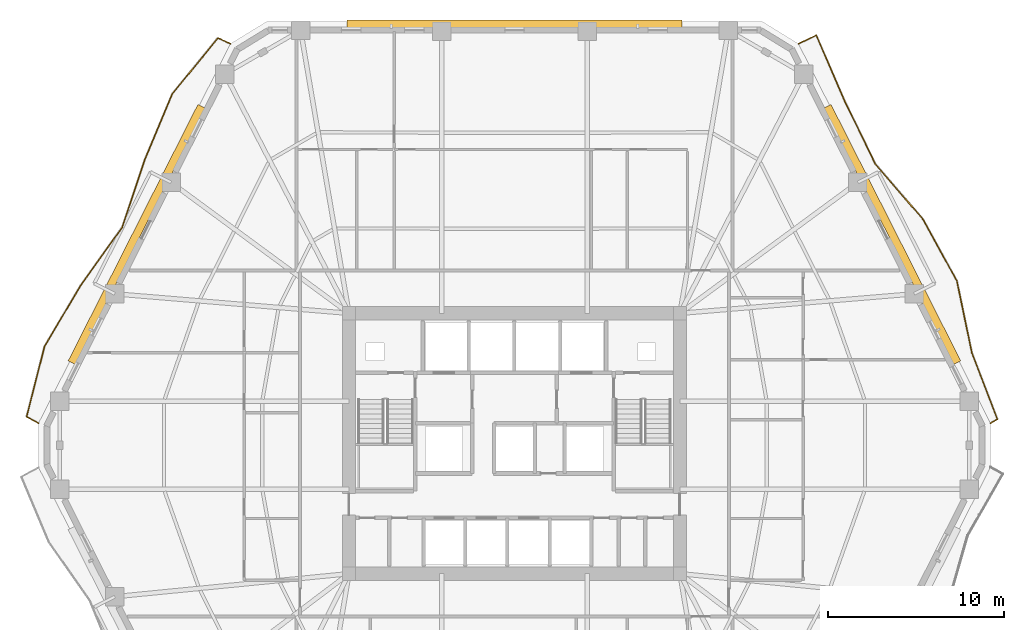
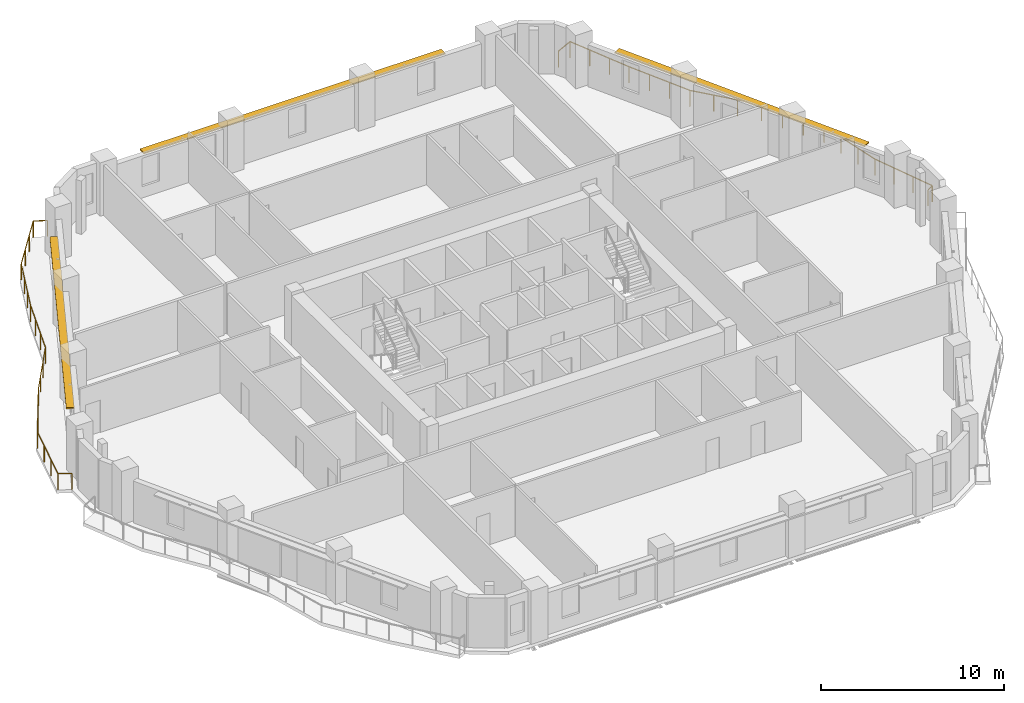
# One storey, part 13 of 13: 3 shading devices, 2 railings.
"""IFC4 building model written with IfcOpenShell, lengths in metres."""

from ifc_helpers import new_model, si_unit, direction, frame, origin, origin_2d, place, context, subcontext, project, spatial, rectangle, extrude, material, layer, layer_set, type_object, element, save


model = new_model("IFC4")

# Units and contexts
model_context = context("Model", 3, precision=1e-05, world=origin(), true_north=direction((0.0, 1.0)))
body_context = subcontext(model_context, "Body", "Model", "MODEL_VIEW")
ifc_project = project(units=[si_unit("LENGTHUNIT", "METRE"), si_unit("AREAUNIT", "SQUARE_METRE"), si_unit("VOLUMEUNIT", "CUBIC_METRE"), si_unit("PLANEANGLEUNIT", "RADIAN"), si_unit("MASSUNIT", "GRAM", prefix="KILO")], contexts=[model_context])

# Site, building, storey
site_placement = place(None, origin())
site = spatial("IfcSite", under=ifc_project, at=site_placement, CompositionType="ELEMENT")
building_placement = place(site_placement, origin())
building = spatial("IfcBuilding", under=site, at=building_placement, Name="Cinnabar Lancet Tower", CompositionType="ELEMENT")
storey_placement = place(building_placement, frame((0.0, 0.0, 80.0)))
storey = spatial("IfcBuildingStorey", under=building, at=storey_placement, Name="L20", CompositionType="ELEMENT", Elevation=80.0)

# Railings
ifc_material_1 = material(Name="Laminated safety glass and bronze stainless steel balustrade", Category="steel")
railing_type = type_object("IfcRailingType", Name="ENV-RLG-BAL-1100", PredefinedType="BALUSTRADE", material=ifc_material_1)
railing_1_placement = place(storey_placement, frame((59.367919921875, 27.049072265625, 0.0)))
element("IfcRailing", 1, at=railing_1_placement, inside=storey, type_object=railing_type, Name="L20 Face 3 Wave Balcony Balustrade", PredefinedType="BALUSTRADE", context=body_context, shape_type="SweptSolid", body=[
    extrude(rectangle(XDim=0.048095703125, YDim=0.048095703125, at=origin_2d()), frame((0.0, 0.0, 1.076171875), z_axis=(0.86256865975, 0.50594002334, 0.0), x_axis=(-0.50594002334, 0.86256865975, 0.0)), (0.0, 0.0, 1.0), 0.45458984375),
    extrude(rectangle(XDim=0.048095703125, YDim=0.048095703125, at=origin_2d()), frame((0.39208984375, 0.22998046875, 1.076171875), z_axis=(-0.359035946368, 0.933323732269, 0.0), x_axis=(-0.933323732269, -0.359035946368, 0.0)), (0.0, 0.0, 1.0), 4.027587890625),
    extrude(rectangle(XDim=0.048095703125, YDim=0.048095703125, at=origin_2d()), frame((-1.053955078125, 3.989013671875, 1.076171875), z_axis=(-0.203658165826, 0.979042058081, 0.0), x_axis=(-0.979042058081, -0.203658165826, 0.0)), (0.0, 0.0, 1.0), 4.14892578125),
    extrude(rectangle(XDim=0.048095703125, YDim=0.048095703125, at=origin_2d()), frame((-1.89892578125, 8.051025390625, 1.076171875), z_axis=(-0.482080110341, 0.87612714101, 0.0), x_axis=(-0.87612714101, -0.482080110341, 0.0)), (0.0, 0.0, 1.0), 4.00732421875),
    extrude(rectangle(XDim=0.048095703125, YDim=0.048095703125, at=origin_2d()), frame((-3.830810546875, 11.56201171875, 1.076171875), z_axis=(-0.652840140632, 0.757495710073, 0.0), x_axis=(-0.757495710073, -0.652840140632, 0.0)), (0.0, 0.0, 1.0), 4.126708984375),
    extrude(rectangle(XDim=0.048095703125, YDim=0.048095703125, at=origin_2d()), frame((-6.52490234375, 14.68798828125, 1.076171875), z_axis=(-0.436799714082, 0.899558786171, 0.0), x_axis=(-0.899558786171, -0.436799714082, 0.0)), (0.0, 0.0, 1.0), 4.00634765625),
    extrude(rectangle(XDim=0.048095703125, YDim=0.048095703125, at=origin_2d()), frame((-8.27490234375, 18.2919921875, 1.076171875), z_axis=(-0.396624635804, 0.917980881213, 0.0), x_axis=(-0.917980881213, -0.396624635804, 0.0)), (0.0, 0.0, 1.0), 4.016357421875),
    extrude(rectangle(XDim=0.048095703125, YDim=0.048095703125, at=origin_2d()), frame((-9.867919921875, 21.97900390625, 1.076171875), z_axis=(-0.904531655043, -0.426406478638, 0.0), x_axis=(0.426406478638, -0.904531655043, 0.0)), (0.0, 0.0, 1.0), 1.11865234375),
    extrude(rectangle(XDim=0.0419921875, YDim=0.0419921875, at=origin_2d()), origin(), (0.0, 0.0, 1.0), 1.052001953125),
    extrude(rectangle(XDim=0.0419921875, YDim=0.0419921875, at=origin_2d()), frame((0.39208984375, 0.22998046875, 0.0)), (0.0, 0.0, 1.0), 1.052001953125),
    extrude(rectangle(XDim=0.0419921875, YDim=0.0419921875, at=origin_2d()), frame((-0.08984375, 1.48291015625, 0.0)), (0.0, 0.0, 1.0), 1.052001953125),
    extrude(rectangle(XDim=0.0419921875, YDim=0.0419921875, at=origin_2d()), frame((-0.572021484375, 2.736083984375, 0.0)), (0.0, 0.0, 1.0), 1.052001953125),
    extrude(rectangle(XDim=0.0419921875, YDim=0.0419921875, at=origin_2d()), frame((-1.053955078125, 3.989013671875, 0.0)), (0.0, 0.0, 1.0), 1.052001953125),
    extrude(rectangle(XDim=0.0419921875, YDim=0.0419921875, at=origin_2d()), frame((-1.335693359375, 5.343017578125, 0.0)), (0.0, 0.0, 1.0), 1.052001953125),
    extrude(rectangle(XDim=0.0419921875, YDim=0.0419921875, at=origin_2d()), frame((-1.6171875, 6.697021484375, 0.0)), (0.0, 0.0, 1.0), 1.052001953125),
    extrude(rectangle(XDim=0.0419921875, YDim=0.0419921875, at=origin_2d()), frame((-1.89892578125, 8.051025390625, 0.0)), (0.0, 0.0, 1.0), 1.052001953125),
    extrude(rectangle(XDim=0.0419921875, YDim=0.0419921875, at=origin_2d()), frame((-2.54296875, 9.221435546875, 0.0)), (0.0, 0.0, 1.0), 1.052001953125),
    extrude(rectangle(XDim=0.0419921875, YDim=0.0419921875, at=origin_2d()), frame((-3.186767578125, 10.3916015625, 0.0)), (0.0, 0.0, 1.0), 1.052001953125),
    extrude(rectangle(XDim=0.0419921875, YDim=0.0419921875, at=origin_2d()), frame((-3.830810546875, 11.56201171875, 0.0)), (0.0, 0.0, 1.0), 1.052001953125),
    extrude(rectangle(XDim=0.0419921875, YDim=0.0419921875, at=origin_2d()), frame((-4.728759765625, 12.60400390625, 0.0)), (0.0, 0.0, 1.0), 1.052001953125),
    extrude(rectangle(XDim=0.0419921875, YDim=0.0419921875, at=origin_2d()), frame((-5.626953125, 13.64599609375, 0.0)), (0.0, 0.0, 1.0), 1.052001953125),
    extrude(rectangle(XDim=0.0419921875, YDim=0.0419921875, at=origin_2d()), frame((-6.52490234375, 14.68798828125, 0.0)), (0.0, 0.0, 1.0), 1.052001953125),
    extrude(rectangle(XDim=0.0419921875, YDim=0.0419921875, at=origin_2d()), frame((-7.108154296875, 15.889404296875, 0.0)), (0.0, 0.0, 1.0), 1.052001953125),
    extrude(rectangle(XDim=0.0419921875, YDim=0.0419921875, at=origin_2d()), frame((-7.691650390625, 17.090576171875, 0.0)), (0.0, 0.0, 1.0), 1.052001953125),
    extrude(rectangle(XDim=0.0419921875, YDim=0.0419921875, at=origin_2d()), frame((-8.27490234375, 18.2919921875, 0.0)), (0.0, 0.0, 1.0), 1.052001953125),
    extrude(rectangle(XDim=0.0419921875, YDim=0.0419921875, at=origin_2d()), frame((-8.805908203125, 19.52099609375, 0.0)), (0.0, 0.0, 1.0), 1.052001953125),
    extrude(rectangle(XDim=0.0419921875, YDim=0.0419921875, at=origin_2d()), frame((-9.3369140625, 20.75, 0.0)), (0.0, 0.0, 1.0), 1.052001953125),
    extrude(rectangle(XDim=0.0419921875, YDim=0.0419921875, at=origin_2d()), frame((-9.867919921875, 21.97900390625, 0.0)), (0.0, 0.0, 1.0), 1.052001953125),
    extrude(rectangle(XDim=0.0419921875, YDim=0.0419921875, at=origin_2d()), frame((-10.8798828125, 21.501953125, 0.0)), (0.0, 0.0, 1.0), 1.052001953125),
])
railing_2_placement = place(storey_placement, frame((16.31201171875, 48.551025390625, 0.0)))
element("IfcRailing", 2, at=railing_2_placement, inside=storey, type_object=railing_type, Name="L20 Face 5 Wave Balcony Balustrade", PredefinedType="BALUSTRADE", context=body_context, shape_type="SweptSolid", body=[
    extrude(rectangle(XDim=0.048095703125, YDim=0.048095703125, at=origin_2d()), frame((0.0, 0.0, 1.076171875), z_axis=(-0.91019589164, 0.414178027956, 0.0), x_axis=(-0.414178027956, -0.91019589164, 0.0)), (0.0, 0.0, 1.0), 0.78466796875),
    extrude(rectangle(XDim=0.048095703125, YDim=0.048095703125, at=origin_2d()), frame((-0.714111328125, 0.324951171875, 1.076171875), z_axis=(-0.631755104918, -0.775168038177, 0.0), x_axis=(0.775168038177, -0.631755104918, 0.0)), (0.0, 0.0, 1.0), 4.10107421875),
    extrude(rectangle(XDim=0.048095703125, YDim=0.048095703125, at=origin_2d()), frame((-3.304931640625, -2.85400390625, 1.076171875), z_axis=(-0.385564435525, -0.922680912373, 0.0), x_axis=(0.922680912373, -0.385564435525, 0.0)), (0.0, 0.0, 1.0), 4.017578125),
    extrude(rectangle(XDim=0.048095703125, YDim=0.048095703125, at=origin_2d()), frame((-4.85400390625, -6.56103515625, 1.076171875), z_axis=(-0.317095893866, -0.948393480626, 0.0), x_axis=(0.948393480626, -0.317095893866, 0.0)), (0.0, 0.0, 1.0), 4.049072265625),
    extrude(rectangle(XDim=0.048095703125, YDim=0.048095703125, at=origin_2d()), frame((-6.137939453125, -10.401123046875, 1.076171875), z_axis=(-0.581089960969, -0.813839331355, 0.0), x_axis=(0.813839331355, -0.581089960969, 0.0)), (0.0, 0.0, 1.0), 4.051025390625),
    extrude(rectangle(XDim=0.048095703125, YDim=0.048095703125, at=origin_2d()), frame((-8.491943359375, -13.697998046875, 1.076171875), z_axis=(-0.509560715273, -0.860434702607, 0.0), x_axis=(0.860434702607, -0.509560715273, 0.0)), (0.0, 0.0, 1.0), 4.015625),
    extrude(rectangle(XDim=0.048095703125, YDim=0.048095703125, at=origin_2d()), frame((-10.5380859375, -17.153076171875, 1.076171875), z_axis=(-0.247039846682, -0.969005322045, 0.0), x_axis=(0.969005322045, -0.247039846682, 0.0)), (0.0, 0.0, 1.0), 4.104248046875),
    extrude(rectangle(XDim=0.048095703125, YDim=0.048095703125, at=origin_2d()), frame((-11.552001953125, -21.130126953125, 1.076171875), z_axis=(0.874950937222, -0.484211583354, 0.0), x_axis=(0.484211583354, 0.874950937222, 0.0)), (0.0, 0.0, 1.0), 0.767822265625),
    extrude(rectangle(XDim=0.0419921875, YDim=0.0419921875, at=origin_2d()), origin(), (0.0, 0.0, 1.0), 1.052001953125),
    extrude(rectangle(XDim=0.0419921875, YDim=0.0419921875, at=origin_2d()), frame((-0.714111328125, 0.324951171875, 0.0)), (0.0, 0.0, 1.0), 1.052001953125),
    extrude(rectangle(XDim=0.0419921875, YDim=0.0419921875, at=origin_2d()), frame((-1.57763671875, -0.734619140625, 0.0)), (0.0, 0.0, 1.0), 1.052001953125),
    extrude(rectangle(XDim=0.0419921875, YDim=0.0419921875, at=origin_2d()), frame((-2.44140625, -1.79443359375, 0.0)), (0.0, 0.0, 1.0), 1.052001953125),
    extrude(rectangle(XDim=0.0419921875, YDim=0.0419921875, at=origin_2d()), frame((-3.304931640625, -2.85400390625, 0.0)), (0.0, 0.0, 1.0), 1.052001953125),
    extrude(rectangle(XDim=0.0419921875, YDim=0.0419921875, at=origin_2d()), frame((-3.8212890625, -4.089599609375, 0.0)), (0.0, 0.0, 1.0), 1.052001953125),
    extrude(rectangle(XDim=0.0419921875, YDim=0.0419921875, at=origin_2d()), frame((-4.337646484375, -5.325439453125, 0.0)), (0.0, 0.0, 1.0), 1.052001953125),
    extrude(rectangle(XDim=0.0419921875, YDim=0.0419921875, at=origin_2d()), frame((-4.85400390625, -6.56103515625, 0.0)), (0.0, 0.0, 1.0), 1.052001953125),
    extrude(rectangle(XDim=0.0419921875, YDim=0.0419921875, at=origin_2d()), frame((-5.281982421875, -7.841064453125, 0.0)), (0.0, 0.0, 1.0), 1.052001953125),
    extrude(rectangle(XDim=0.0419921875, YDim=0.0419921875, at=origin_2d()), frame((-5.7099609375, -9.12109375, 0.0)), (0.0, 0.0, 1.0), 1.052001953125),
    extrude(rectangle(XDim=0.0419921875, YDim=0.0419921875, at=origin_2d()), frame((-6.137939453125, -10.401123046875, 0.0)), (0.0, 0.0, 1.0), 1.052001953125),
    extrude(rectangle(XDim=0.0419921875, YDim=0.0419921875, at=origin_2d()), frame((-6.922607421875, -11.5, 0.0)), (0.0, 0.0, 1.0), 1.052001953125),
    extrude(rectangle(XDim=0.0419921875, YDim=0.0419921875, at=origin_2d()), frame((-7.707275390625, -12.59912109375, 0.0)), (0.0, 0.0, 1.0), 1.052001953125),
    extrude(rectangle(XDim=0.0419921875, YDim=0.0419921875, at=origin_2d()), frame((-8.491943359375, -13.697998046875, 0.0)), (0.0, 0.0, 1.0), 1.052001953125),
    extrude(rectangle(XDim=0.0419921875, YDim=0.0419921875, at=origin_2d()), frame((-9.174072265625, -14.849609375, 0.0)), (0.0, 0.0, 1.0), 1.052001953125),
    extrude(rectangle(XDim=0.0419921875, YDim=0.0419921875, at=origin_2d()), frame((-9.85595703125, -16.00146484375, 0.0)), (0.0, 0.0, 1.0), 1.052001953125),
    extrude(rectangle(XDim=0.0419921875, YDim=0.0419921875, at=origin_2d()), frame((-10.5380859375, -17.153076171875, 0.0)), (0.0, 0.0, 1.0), 1.052001953125),
    extrude(rectangle(XDim=0.0419921875, YDim=0.0419921875, at=origin_2d()), frame((-10.8759765625, -18.478759765625, 0.0)), (0.0, 0.0, 1.0), 1.052001953125),
    extrude(rectangle(XDim=0.0419921875, YDim=0.0419921875, at=origin_2d()), frame((-11.214111328125, -19.804443359375, 0.0)), (0.0, 0.0, 1.0), 1.052001953125),
    extrude(rectangle(XDim=0.0419921875, YDim=0.0419921875, at=origin_2d()), frame((-11.552001953125, -21.130126953125, 0.0)), (0.0, 0.0, 1.0), 1.052001953125),
    extrude(rectangle(XDim=0.0419921875, YDim=0.0419921875, at=origin_2d()), frame((-10.880126953125, -21.501953125, 0.0)), (0.0, 0.0, 1.0), 1.052001953125),
])

# Shading devices
ifc_material_2 = material(Name="Pale limestone architectural aluminium sunshade", Category="masonry")
ifc_layer = layer(ifc_material_2, 0.080078125)
ifc_layer_set = layer_set([ifc_layer], Name="Pale limestone architectural aluminium sunshade")
shading_device_type = type_object("IfcShadingDeviceType", Name="ENV-SHD-LVR-450", PredefinedType="JALOUSIE", material=ifc_layer_set)
shading_device_1_placement = place(storey_placement, frame((53.81005859375, 37.743896484375, 2.639892578125), z_axis=(0.0, 0.0, 1.0), x_axis=(-0.451500573218, 0.892270829056, 0.0)))
element("IfcShadingDevice", 3, at=shading_device_1_placement, inside=storey, type_object=shading_device_type, Name="L20 Face 3 Horizontal Sunshade Canopy", PredefinedType="JALOUSIE", context=body_context, shape_type="SweptSolid", body=[
    extrude(rectangle(XDim=16.279052734375, YDim=0.449951171875, at=origin_2d()), origin(), (0.0, 0.0, 1.0), 0.080078125),
])
shading_device_2_placement = place(storey_placement, frame((32.39990234375, 49.669921875, 2.639892578125), z_axis=(0.0, 0.0, 1.0), x_axis=(-1.0, 0.0, 0.0)))
element("IfcShadingDevice", 4, at=shading_device_2_placement, inside=storey, type_object=shading_device_type, Name="L20 Face 4 Horizontal Sunshade Canopy", PredefinedType="JALOUSIE", context=body_context, shape_type="SweptSolid", body=[
    extrude(rectangle(XDim=18.993896484375, YDim=0.449951171875, at=origin_2d()), origin(), (0.0, 0.0, 1.0), 0.080078125),
])
shading_device_3_placement = place(storey_placement, frame((10.989990234375, 37.743896484375, 2.639892578125), z_axis=(0.0, 0.0, 1.0), x_axis=(-0.451500573218, -0.892270829056, 0.0)))
element("IfcShadingDevice", 5, at=shading_device_3_placement, inside=storey, type_object=shading_device_type, Name="L20 Face 5 Horizontal Sunshade Canopy", PredefinedType="JALOUSIE", context=body_context, shape_type="SweptSolid", body=[
    extrude(rectangle(XDim=16.279052734375, YDim=0.449951171875, at=origin_2d()), origin(), (0.0, 0.0, 1.0), 0.080078125),
])

save(model, "model.ifc")
